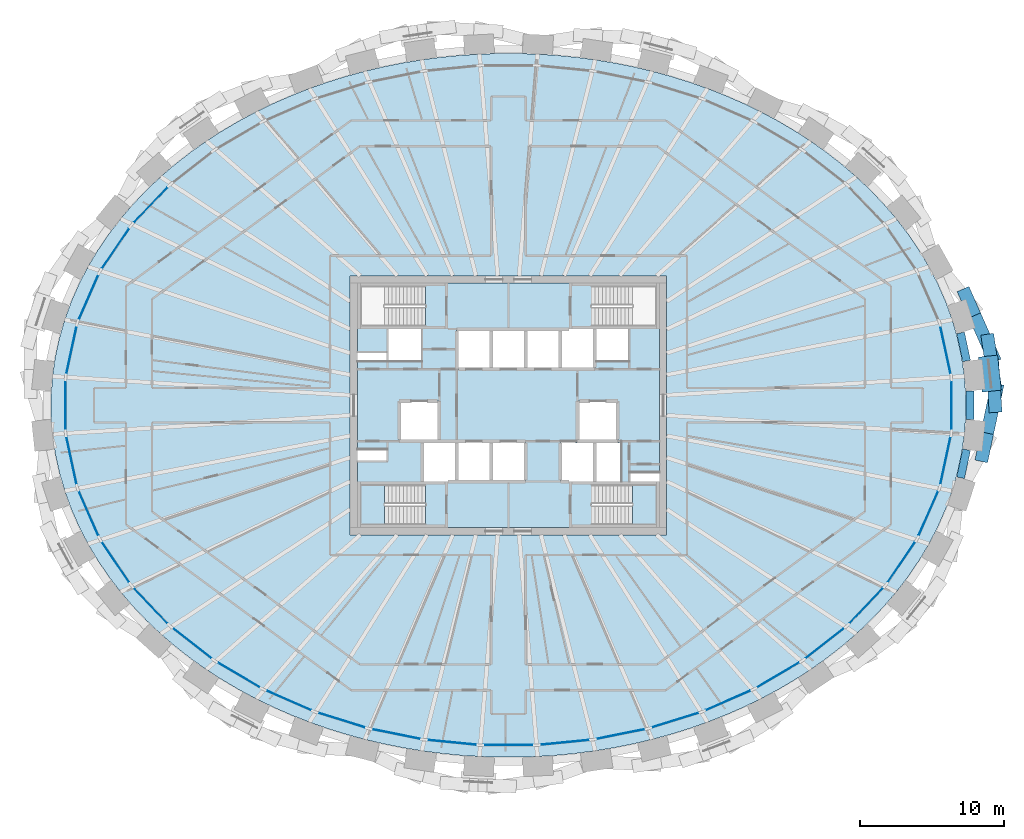
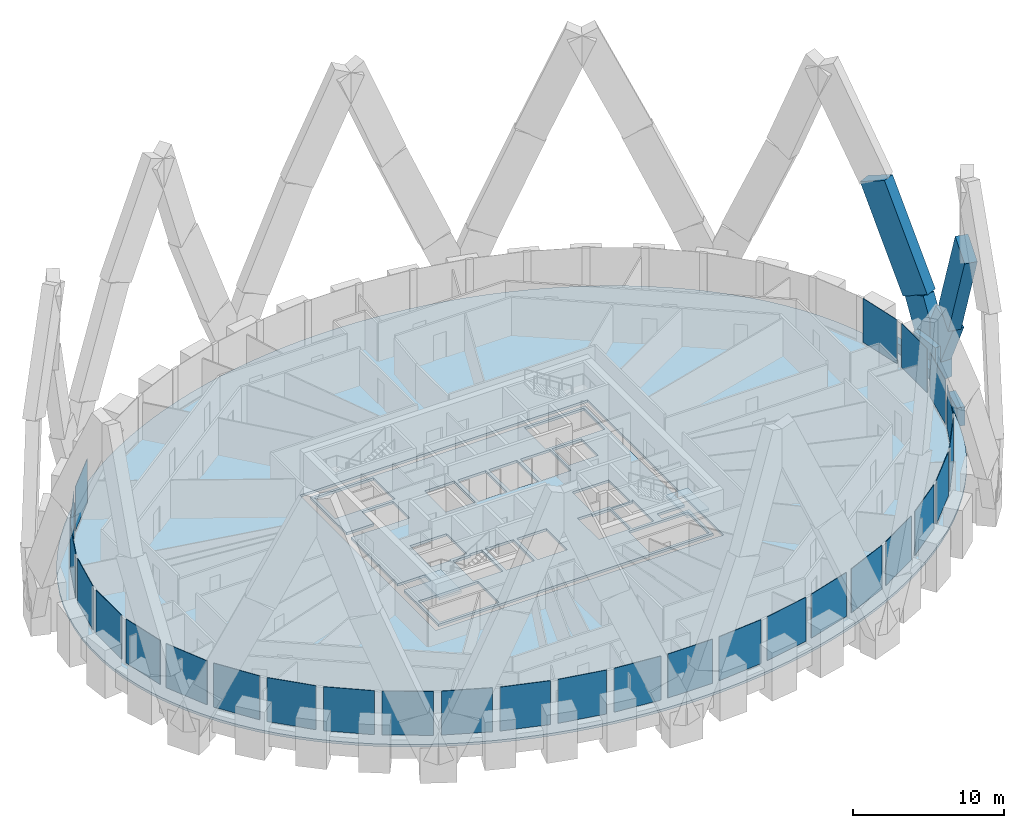
# One storey, part 6 of 15: 28 plates, 5 members, 4 slabs, 3 beams, 3 elements without a shape of their own.
"""IFC4 building model written with IfcOpenShell, lengths in metres."""

from ifc_helpers import new_model, si_unit, direction, frame, origin, origin_2d, place, context, subcontext, project, spatial, polyline, rectangle, outline, extrude, source, transform, mapped, material, layer, layer_set, material_profile, profile_set, type_object, element, aggregate, save


model = new_model("IFC4")

# Units and contexts
model_context = context("Model", 3, precision=1e-05, world=origin(), true_north=direction((0.0, 1.0)))
body_context = subcontext(model_context, "Body", "Model", "MODEL_VIEW")
ifc_project = project(units=[si_unit("LENGTHUNIT", "METRE"), si_unit("AREAUNIT", "SQUARE_METRE"), si_unit("VOLUMEUNIT", "CUBIC_METRE"), si_unit("PLANEANGLEUNIT", "RADIAN"), si_unit("MASSUNIT", "GRAM", prefix="KILO")], contexts=[model_context])

# Site, building, storey
site_placement = place(None, origin())
site = spatial("IfcSite", under=ifc_project, at=site_placement, CompositionType="ELEMENT")
building_placement = place(site_placement, origin())
building = spatial("IfcBuilding", under=site, at=building_placement, Name="Embergate Tower", CompositionType="ELEMENT")
storey_placement = place(building_placement, frame((0.0, 0.0, 277.300048828125)))
storey = spatial("IfcBuildingStorey", under=building, at=storey_placement, Name="L64", CompositionType="ELEMENT", Elevation=277.300048828125)

# Beams
ifc_material_1 = material(Name="Concrete C60", Category="concrete")
ifc_material_profile_1 = material_profile(ifc_material_1, rectangle(XDim=0.550048828125, YDim=1.5, at=origin_2d()), Name="RC 550x1500")
ifc_profile_set_1 = profile_set([ifc_material_profile_1], Name="Concrete C60")
beam_type = type_object("IfcBeamType", Name="Spandrel beam RC 550x1500 C60", PredefinedType="BEAM", material=ifc_profile_set_1)
shared_shape_1 = source(origin(), body_context, "Body", "SweptSolid", [
    extrude(rectangle(XDim=0.550048828125, YDim=1.5, at=origin_2d()), origin(), (0.0, 0.0, 1.0), 1.994384765625),
])
for number, where, z_axis, x_axis, name in (
    (1, (31.842041015625, 3.0849609375, 0.0), (-0.210055720301, 0.977689416108, 0.0), (-0.977689416108, -0.210055720301, 0.0), "SPN-L64-00"),
    (2, (31.423095703125, -5.034912109375, 0.0), (0.210055720301, 0.977689416108, 0.0), (-0.977689416108, 0.210055720301, 0.0), "SPN-L64-42"),
):
    element("IfcBeam", number, at=place(storey_placement, frame(where, z_axis=z_axis, x_axis=x_axis)), inside=storey, type_object=beam_type, Name=name, PredefinedType="BEAM", context=body_context, shape_type="MappedRepresentation", body=[
        mapped(shared_shape_1, transform((0.0, 0.0, 0.0))),
    ])
shared_shape_2 = source(origin(), body_context, "Body", "SweptSolid", [
    extrude(rectangle(XDim=0.550048828125, YDim=1.5, at=origin_2d()), origin(), (0.0, 0.0, 1.0), 1.994140625),
])
beam_placement = place(storey_placement, frame((32.06396484375, -0.9970703125, 0.0), z_axis=(0.0, 1.0, 0.0), x_axis=(-1.0, 0.0, 0.0)))
element("IfcBeam", 3, at=beam_placement, inside=storey, type_object=beam_type, Name="SPN-L64-43", PredefinedType="BEAM", context=body_context, shape_type="MappedRepresentation", body=[
    mapped(shared_shape_2, transform((0.0, 0.0, 0.0))),
])

# Members
ifc_material_2 = material(Name="Concrete C70", Category="concrete")
ifc_material_profile_2 = material_profile(ifc_material_2, rectangle(XDim=1.35009765625, YDim=2.449951171875, at=origin_2d()), Name="RC 1350x2450")
ifc_profile_set_2 = profile_set([ifc_material_profile_2], Name="Concrete C70")
member_type_1 = type_object("IfcMemberType", Name="Lattice node block RC 1350x2450", PredefinedType="POST", material=ifc_profile_set_2)
shared_shape_3 = source(origin(), body_context, "Body", "SweptSolid", [
    extrude(rectangle(XDim=1.35009765625, YDim=2.449951171875, at=origin_2d()), origin(), (0.0, 0.0, 1.0), 2.85009765625),
])
member_1_placement = place(storey_placement, frame((33.4541015625, 2.201904296875, -1.425048828125), z_axis=(0.0, 0.0, 1.0), x_axis=(0.99428589498, 0.106749983816, 0.0)))
element("IfcMember", 4, at=member_1_placement, inside=storey, type_object=member_type_1, Name="NOD-L64-00", PredefinedType="POST", context=body_context, shape_type="MappedRepresentation", body=[
    mapped(shared_shape_3, transform((0.0, 0.0, 0.0))),
])
ifc_material_profile_3 = material_profile(ifc_material_2, rectangle(XDim=0.89990234375, YDim=2.199951171875, at=origin_2d()), Name="RC 900x2200")
ifc_profile_set_3 = profile_set([ifc_material_profile_3], Name="Concrete C70")
member_type_2 = type_object("IfcMemberType", Name="Lattice diagonal terracotta-faced RC 900x2200", PredefinedType="BRACE", material=ifc_profile_set_3)
shared_shape_4 = source(origin(), body_context, "Body", "SweptSolid", [
    extrude(rectangle(XDim=0.89990234375, YDim=2.199951171875, at=origin_2d()), origin(), (0.0, 0.0, 1.0), 4.269775390625),
])
member_2_placement = place(storey_placement, frame((33.677978515625, 2.22705078125, 0.0), z_axis=(-0.060210451101, 0.402603785567, 0.913391971404), x_axis=(-0.989001166604, -0.147907716011, 0.0)))
element("IfcMember", 5, at=member_2_placement, inside=storey, type_object=member_type_2, Name="BRC-L64-00-02-S00", PredefinedType="BRACE", context=body_context, shape_type="MappedRepresentation", body=[
    mapped(shared_shape_4, transform((0.0, 0.0, 0.0))),
])
shared_shape_5 = source(origin(), body_context, "Body", "SweptSolid", [
    extrude(rectangle(XDim=0.89990234375, YDim=2.199951171875, at=origin_2d()), origin(), (0.0, 0.0, 1.0), 8.55615234375),
])
member_3_placement = place(storey_placement, frame((33.4208984375, 3.946044921875, 3.89990234375), z_axis=(-0.166525921982, 0.375739091956, 0.911640966655), x_axis=(-0.914234779992, -0.40518485541, 0.0)))
element("IfcMember", 6, at=member_3_placement, inside=storey, type_object=member_type_2, Name="BRC-L64-00-02-S01", PredefinedType="BRACE", context=body_context, shape_type="MappedRepresentation", body=[
    mapped(shared_shape_5, transform((0.0, 0.0, 0.0))),
])
shared_shape_6 = source(origin(), body_context, "Body", "SweptSolid", [
    extrude(rectangle(XDim=0.89990234375, YDim=2.199951171875, at=origin_2d()), origin(), (0.0, 0.0, 1.0), 4.261962890625),
])
member_4_placement = place(storey_placement, frame((33.677978515625, 2.22705078125, 0.0), z_axis=(0.026522885474, -0.40242607009, 0.915068191261), x_axis=(0.997835152673, 0.065764793692, 0.0)))
element("IfcMember", 7, at=member_4_placement, inside=storey, type_object=member_type_2, Name="BRC-L64-00-42-S00", PredefinedType="BRACE", context=body_context, shape_type="MappedRepresentation", body=[
    mapped(shared_shape_6, transform((0.0, 0.0, 0.0))),
])
shared_shape_7 = source(origin(), body_context, "Body", "SweptSolid", [
    extrude(rectangle(XDim=0.89990234375, YDim=2.199951171875, at=origin_2d()), origin(), (0.0, 0.0, 1.0), 8.551025390625),
])
member_5_placement = place(storey_placement, frame((33.791015625, 0.511962890625, 3.89990234375), z_axis=(-0.084911389442, -0.400887968781, 0.912183584828), x_axis=(0.978296224793, -0.20721123656, 0.0)))
element("IfcMember", 8, at=member_5_placement, inside=storey, type_object=member_type_2, Name="BRC-L64-00-42-S01", PredefinedType="BRACE", context=body_context, shape_type="MappedRepresentation", body=[
    mapped(shared_shape_7, transform((0.0, 0.0, 0.0))),
])

# Slab
ifc_material_3 = material(Name="Concrete C40", Category="concrete")
ifc_layer_1 = layer(ifc_material_3, 0.199951171875)
ifc_layer_set_1 = layer_set([ifc_layer_1], Name="Concrete C40")
slab_type_1 = type_object("IfcSlabType", Name="Composite floor slab C40 200", PredefinedType="FLOOR", material=ifc_layer_set_1)
shared_shape_8 = source(origin(), body_context, "Body", "SweptSolid", [
    extrude(outline(polyline([(0.0, 0.0), (1.34423828125, 0.0), (2.688232421875, 0.044189453125), (4.033203125, 0.132080078125), (5.37109375, 0.26416015625), (6.701171875, 0.439208984375), (8.033203125, 0.6591796875), (9.35205078125, 0.924072265625), (10.654052734375, 1.232177734375), (11.960205078125, 1.588134765625), (13.244140625, 1.988037109375), (14.504150390625, 2.43017578125), (15.76611328125, 2.926025390625), (16.998046875, 3.465087890625), (18.197998046875, 4.046142578125), (19.396240234375, 4.68603515625), (20.55517578125, 5.3671875), (21.673095703125, 6.089111328125), (22.7822265625, 6.876220703125), (23.842041015625, 7.7041015625), (24.85009765625, 8.569091796875), (25.839111328125, 9.505126953125), (26.76708984375, 10.47802734375), (27.631103515625, 11.485107421875), (28.460205078125, 12.565185546875), (29.216064453125, 13.676025390625), (29.896240234375, 14.816162109375), (30.52001953125, 16.023193359375), (31.06005859375, 17.254150390625), (31.51416015625, 18.505126953125), (31.88916015625, 19.80419921875), (32.172119140625, 21.1181640625), (32.361083984375, 22.441162109375), (32.45703125, 23.781982421875), (32.45703125, 25.126220703125), (32.361083984375, 26.467041015625), (32.172119140625, 27.7900390625), (31.88916015625, 29.10400390625), (31.51416015625, 30.403076171875), (31.06005859375, 31.654052734375), (30.52001953125, 32.885009765625), (29.896240234375, 34.092041015625), (29.216064453125, 35.232177734375), (28.460205078125, 36.343017578125), (27.631103515625, 37.423095703125), (26.76708984375, 38.43017578125), (25.839111328125, 39.403076171875), (24.85009765625, 40.339111328125), (23.842041015625, 41.2041015625), (22.7822265625, 42.031982421875), (21.673095703125, 42.819091796875), (20.55517578125, 43.541015625), (19.396240234375, 44.22216796875), (18.197998046875, 44.862060546875), (16.998046875, 45.443115234375), (15.76611328125, 45.982177734375), (14.504150390625, 46.47802734375), (13.244140625, 46.920166015625), (11.960205078125, 47.320068359375), (10.654052734375, 47.676025390625), (9.35205078125, 47.984130859375), (8.033203125, 48.2490234375), (6.701171875, 48.468994140625), (5.37109375, 48.64404296875), (4.033203125, 48.776123046875), (2.688232421875, 48.864013671875), (1.34423828125, 48.908203125), (0.0, 48.908203125), (-1.343994140625, 48.864013671875), (-2.68896484375, 48.776123046875), (-4.02685546875, 48.64404296875), (-5.35693359375, 48.468994140625), (-6.68896484375, 48.2490234375), (-8.0078125, 47.984130859375), (-9.309814453125, 47.676025390625), (-10.615966796875, 47.320068359375), (-11.89990234375, 46.920166015625), (-13.159912109375, 46.47802734375), (-14.421875, 45.982177734375), (-15.65380859375, 45.443115234375), (-16.853759765625, 44.862060546875), (-18.052001953125, 44.22216796875), (-19.2109375, 43.541015625), (-20.328857421875, 42.819091796875), (-21.43798828125, 42.031982421875), (-22.497802734375, 41.2041015625), (-23.505859375, 40.339111328125), (-24.494873046875, 39.403076171875), (-25.4228515625, 38.43017578125), (-26.286865234375, 37.423095703125), (-27.115966796875, 36.343017578125), (-27.871826171875, 35.232177734375), (-28.552001953125, 34.092041015625), (-29.17578125, 32.885009765625), (-29.7158203125, 31.654052734375), (-30.169921875, 30.403076171875), (-30.544921875, 29.10400390625), (-30.827880859375, 27.7900390625), (-31.016845703125, 26.467041015625), (-31.11279296875, 25.126220703125), (-31.11279296875, 23.781982421875), (-31.016845703125, 22.441162109375), (-30.827880859375, 21.1181640625), (-30.544921875, 19.80419921875), (-30.169921875, 18.505126953125), (-29.7158203125, 17.254150390625), (-29.17578125, 16.023193359375), (-28.552001953125, 14.816162109375), (-27.871826171875, 13.676025390625), (-27.115966796875, 12.565185546875), (-26.286865234375, 11.485107421875), (-25.4228515625, 10.47802734375), (-24.494873046875, 9.505126953125), (-23.505859375, 8.569091796875), (-22.497802734375, 7.7041015625), (-21.43798828125, 6.876220703125), (-20.328857421875, 6.089111328125), (-19.2109375, 5.3671875), (-18.052001953125, 4.68603515625), (-16.853759765625, 4.046142578125), (-15.65380859375, 3.465087890625), (-14.421875, 2.926025390625), (-13.159912109375, 2.43017578125), (-11.89990234375, 1.988037109375), (-10.615966796875, 1.588134765625), (-9.309814453125, 1.232177734375), (-8.0078125, 0.924072265625), (-6.68896484375, 0.6591796875), (-5.35693359375, 0.439208984375), (-4.02685546875, 0.26416015625), (-2.68896484375, 0.132080078125), (-1.343994140625, 0.044189453125), (0.0, 0.0)]), holes=[polyline([(-10.327880859375, 15.4541015625), (-10.327880859375, 33.4541015625), (11.672119140625, 33.4541015625), (11.672119140625, 15.4541015625), (-10.327880859375, 15.4541015625)])]), origin(), (0.0, 0.0, 1.0), 0.199951171875),
])
slab_1_placement = place(storey_placement, frame((-0.672119140625, -24.4541015625, -0.199951171875)))
element("IfcSlab", 9, at=slab_1_placement, inside=storey, type_object=slab_type_1, Name="SLB-L64-00", PredefinedType="FLOOR", context=body_context, shape_type="MappedRepresentation", body=[
    mapped(shared_shape_8, transform((0.0, 0.0, 0.0))),
])

# Curtain wall, plates
ifc_material_4 = material(Name="Aluminium and glass", Category="aluminium")
curtain_wall_type = type_object("IfcCurtainWallType", Name="Recessed office glazing", PredefinedType="NOTDEFINED", material=ifc_material_4)
curtain_wall_placement = place(storey_placement, origin())
curtain_wall = element("IfcCurtainWall", 10, at=curtain_wall_placement, inside=storey, type_object=curtain_wall_type, Name="Recessed office glazing ring", ObjectType="RECESSED OFFICE GLAZING", PredefinedType="USERDEFINED")
ifc_material_5 = material(Name="Triple glazing, low-emissivity coating", Category="glass")
ifc_layer_2 = layer(ifc_material_5, 0.035888671875)
ifc_layer_set_2 = layer_set([ifc_layer_2], Name="Triple glazing, low-emissivity coating")
plate_type = type_object("IfcPlateType", Name="Office glazing unit", PredefinedType="CURTAIN_PANEL", material=ifc_layer_set_2)
shared_shape_9 = source(origin(), body_context, "Body", "SweptSolid", [
    extrude(rectangle(XDim=3.359130859375, YDim=0.035888671875, at=origin_2d()), origin(), (0.0, 0.0, 1.0), 3.550048828125),
])
plate_1_placement = place(storey_placement, frame((30.37109375, 3.834228515625, 0.14990234375), z_axis=(0.0, 0.0, 1.0), x_axis=(-0.210401803698, 0.977614996305, 0.0)))
plate_1 = element("IfcPlate", 11, at=plate_1_placement, type_object=plate_type, Name="CW panel 1.1", PredefinedType="CURTAIN_PANEL", context=body_context, shape_type="MappedRepresentation", body=[
    mapped(shared_shape_9, transform((0.0, 0.0, 0.0))),
])
plate_2_placement = place(storey_placement, frame((-30.37109375, 3.834228515625, 0.14990234375), z_axis=(0.0, 0.0, 1.0), x_axis=(-0.210401803698, -0.977614996305, 0.0)))
plate_2 = element("IfcPlate", 12, at=plate_2_placement, type_object=plate_type, Name="CW panel 21.1", PredefinedType="CURTAIN_PANEL", context=body_context, shape_type="MappedRepresentation", body=[
    mapped(shared_shape_9, transform((0.0, 0.0, 0.0))),
])
plate_3_placement = place(storey_placement, frame((-30.37109375, -3.834228515625, 0.14990234375), z_axis=(0.0, 0.0, 1.0), x_axis=(0.210401803698, -0.977614996305, 0.0)))
plate_3 = element("IfcPlate", 13, at=plate_3_placement, type_object=plate_type, Name="CW panel 23.1", PredefinedType="CURTAIN_PANEL", context=body_context, shape_type="MappedRepresentation", body=[
    mapped(shared_shape_9, transform((0.0, 0.0, 0.0))),
])
plate_4_placement = place(storey_placement, frame((30.37109375, -3.834228515625, 0.14990234375), z_axis=(0.0, 0.0, 1.0), x_axis=(0.210401803698, 0.977614996305, 0.0)))
plate_4 = element("IfcPlate", 14, at=plate_4_placement, type_object=plate_type, Name="CW panel 43.1", PredefinedType="CURTAIN_PANEL", context=body_context, shape_type="MappedRepresentation", body=[
    mapped(shared_shape_9, transform((0.0, 0.0, 0.0))),
])
shared_shape_10 = source(origin(), body_context, "Body", "SweptSolid", [
    extrude(rectangle(XDim=3.36572265625, YDim=0.035888671875, at=origin_2d()), origin(), (0.0, 0.0, 1.0), 3.550048828125),
])
plate_5_placement = place(storey_placement, frame((-29.1826171875, 7.509765625, 0.14990234375), z_axis=(0.0, 0.0, 1.0), x_axis=(-0.401658494584, -0.915789524797, 0.0)))
plate_5 = element("IfcPlate", 15, at=plate_5_placement, type_object=plate_type, Name="CW panel 20.1", PredefinedType="CURTAIN_PANEL", context=body_context, shape_type="MappedRepresentation", body=[
    mapped(shared_shape_10, transform((0.0, 0.0, 0.0))),
])
plate_6_placement = place(storey_placement, frame((-29.1826171875, -7.509765625, 0.14990234375), z_axis=(0.0, 0.0, 1.0), x_axis=(0.401658494584, -0.915789524797, 0.0)))
plate_6 = element("IfcPlate", 16, at=plate_6_placement, type_object=plate_type, Name="CW panel 24.1", PredefinedType="CURTAIN_PANEL", context=body_context, shape_type="MappedRepresentation", body=[
    mapped(shared_shape_10, transform((0.0, 0.0, 0.0))),
])
plate_7_placement = place(storey_placement, frame((29.1826171875, -7.509765625, 0.14990234375), z_axis=(0.0, 0.0, 1.0), x_axis=(0.401658494584, 0.915789524797, 0.0)))
plate_7 = element("IfcPlate", 17, at=plate_7_placement, type_object=plate_type, Name="CW panel 42.1", PredefinedType="CURTAIN_PANEL", context=body_context, shape_type="MappedRepresentation", body=[
    mapped(shared_shape_10, transform((0.0, 0.0, 0.0))),
])
shared_shape_11 = source(origin(), body_context, "Body", "SweptSolid", [
    extrude(rectangle(XDim=3.37451171875, YDim=0.035888671875, at=origin_2d()), origin(), (0.0, 0.0, 1.0), 3.550048828125),
])
plate_8_placement = place(storey_placement, frame((-27.30712890625, 10.899169921875, 0.14990234375), z_axis=(0.0, 0.0, 1.0), x_axis=(-0.562347514787, -0.826901005328, 0.0)))
plate_8 = element("IfcPlate", 18, at=plate_8_placement, type_object=plate_type, Name="CW panel 19.1", PredefinedType="CURTAIN_PANEL", context=body_context, shape_type="MappedRepresentation", body=[
    mapped(shared_shape_11, transform((0.0, 0.0, 0.0))),
])
plate_9_placement = place(storey_placement, frame((-27.30712890625, -10.899169921875, 0.14990234375), z_axis=(0.0, 0.0, 1.0), x_axis=(0.562347514787, -0.826901005328, 0.0)))
plate_9 = element("IfcPlate", 19, at=plate_9_placement, type_object=plate_type, Name="CW panel 25.1", PredefinedType="CURTAIN_PANEL", context=body_context, shape_type="MappedRepresentation", body=[
    mapped(shared_shape_11, transform((0.0, 0.0, 0.0))),
])
plate_10_placement = place(storey_placement, frame((27.30712890625, -10.899169921875, 0.14990234375), z_axis=(0.0, 0.0, 1.0), x_axis=(0.562347514787, 0.826901005328, 0.0)))
plate_10 = element("IfcPlate", 20, at=plate_10_placement, type_object=plate_type, Name="CW panel 41.1", PredefinedType="CURTAIN_PANEL", context=body_context, shape_type="MappedRepresentation", body=[
    mapped(shared_shape_11, transform((0.0, 0.0, 0.0))),
])
shared_shape_12 = source(origin(), body_context, "Body", "SweptSolid", [
    extrude(rectangle(XDim=3.3828125, YDim=0.035888671875, at=origin_2d()), origin(), (0.0, 0.0, 1.0), 3.550048828125),
])
plate_11_placement = place(storey_placement, frame((-24.865478515625, 13.921630859375, 0.14990234375), z_axis=(0.0, 0.0, 1.0), x_axis=(-0.6901388367, -0.723676990154, 0.0)))
plate_11 = element("IfcPlate", 21, at=plate_11_placement, type_object=plate_type, Name="CW panel 18.1", PredefinedType="CURTAIN_PANEL", context=body_context, shape_type="MappedRepresentation", body=[
    mapped(shared_shape_12, transform((0.0, 0.0, 0.0))),
])
plate_12_placement = place(storey_placement, frame((-24.865478515625, -13.921630859375, 0.14990234375), z_axis=(0.0, 0.0, 1.0), x_axis=(0.6901388367, -0.723676990154, 0.0)))
plate_12 = element("IfcPlate", 22, at=plate_12_placement, type_object=plate_type, Name="CW panel 26.1", PredefinedType="CURTAIN_PANEL", context=body_context, shape_type="MappedRepresentation", body=[
    mapped(shared_shape_12, transform((0.0, 0.0, 0.0))),
])
plate_13_placement = place(storey_placement, frame((24.865478515625, -13.921630859375, 0.14990234375), z_axis=(0.0, 0.0, 1.0), x_axis=(0.6901388367, 0.723676990154, 0.0)))
plate_13 = element("IfcPlate", 23, at=plate_13_placement, type_object=plate_type, Name="CW panel 40.1", PredefinedType="CURTAIN_PANEL", context=body_context, shape_type="MappedRepresentation", body=[
    mapped(shared_shape_12, transform((0.0, 0.0, 0.0))),
])
shared_shape_13 = source(origin(), body_context, "Body", "SweptSolid", [
    extrude(rectangle(XDim=3.390380859375, YDim=0.035888671875, at=origin_2d()), origin(), (0.0, 0.0, 1.0), 3.550048828125),
])
plate_14_placement = place(storey_placement, frame((-21.977294921875, -16.536865234375, 0.14990234375), z_axis=(0.0, 0.0, 1.0), x_axis=(0.788323340765, -0.615261172515, 0.0)))
plate_14 = element("IfcPlate", 24, at=plate_14_placement, type_object=plate_type, Name="CW panel 27.1", PredefinedType="CURTAIN_PANEL", context=body_context, shape_type="MappedRepresentation", body=[
    mapped(shared_shape_13, transform((0.0, 0.0, 0.0))),
])
plate_15_placement = place(storey_placement, frame((21.977294921875, -16.536865234375, 0.14990234375), z_axis=(0.0, 0.0, 1.0), x_axis=(0.788323340765, 0.615261172515, 0.0)))
plate_15 = element("IfcPlate", 25, at=plate_15_placement, type_object=plate_type, Name="CW panel 39.1", PredefinedType="CURTAIN_PANEL", context=body_context, shape_type="MappedRepresentation", body=[
    mapped(shared_shape_13, transform((0.0, 0.0, 0.0))),
])
shared_shape_14 = source(origin(), body_context, "Body", "SweptSolid", [
    extrude(rectangle(XDim=3.39599609375, YDim=0.035888671875, at=origin_2d()), origin(), (0.0, 0.0, 1.0), 3.550048828125),
])
plate_16_placement = place(storey_placement, frame((-18.748046875, -18.732177734375, 0.14990234375), z_axis=(0.0, 0.0, 1.0), x_axis=(0.862054936934, -0.506814843614, 0.0)))
plate_16 = element("IfcPlate", 26, at=plate_16_placement, type_object=plate_type, Name="CW panel 28.1", PredefinedType="CURTAIN_PANEL", context=body_context, shape_type="MappedRepresentation", body=[
    mapped(shared_shape_14, transform((0.0, 0.0, 0.0))),
])
plate_17_placement = place(storey_placement, frame((18.748046875, -18.732177734375, 0.14990234375), z_axis=(0.0, 0.0, 1.0), x_axis=(0.862054936934, 0.506814843614, 0.0)))
plate_17 = element("IfcPlate", 27, at=plate_17_placement, type_object=plate_type, Name="CW panel 38.1", PredefinedType="CURTAIN_PANEL", context=body_context, shape_type="MappedRepresentation", body=[
    mapped(shared_shape_14, transform((0.0, 0.0, 0.0))),
])
shared_shape_15 = source(origin(), body_context, "Body", "SweptSolid", [
    extrude(rectangle(XDim=3.400634765625, YDim=0.035888671875, at=origin_2d()), origin(), (0.0, 0.0, 1.0), 3.550048828125),
])
plate_18_placement = place(storey_placement, frame((-15.263916015625, -20.509765625, 0.14990234375), z_axis=(0.0, 0.0, 1.0), x_axis=(0.916236910986, -0.400636896638, 0.0)))
plate_18 = element("IfcPlate", 28, at=plate_18_placement, type_object=plate_type, Name="CW panel 29.1", PredefinedType="CURTAIN_PANEL", context=body_context, shape_type="MappedRepresentation", body=[
    mapped(shared_shape_15, transform((0.0, 0.0, 0.0))),
])
plate_19_placement = place(storey_placement, frame((15.263916015625, -20.509765625, 0.14990234375), z_axis=(0.0, 0.0, 1.0), x_axis=(0.916236910986, 0.400636896638, 0.0)))
plate_19 = element("IfcPlate", 29, at=plate_19_placement, type_object=plate_type, Name="CW panel 37.1", PredefinedType="CURTAIN_PANEL", context=body_context, shape_type="MappedRepresentation", body=[
    mapped(shared_shape_15, transform((0.0, 0.0, 0.0))),
])
shared_shape_16 = source(origin(), body_context, "Body", "SweptSolid", [
    extrude(rectangle(XDim=3.40380859375, YDim=0.035888671875, at=origin_2d()), origin(), (0.0, 0.0, 1.0), 3.550048828125),
])
plate_20_placement = place(storey_placement, frame((-11.5947265625, -21.87841796875, 0.14990234375), z_axis=(0.0, 0.0, 1.0), x_axis=(0.954772736126, -0.297336547283, 0.0)))
plate_20 = element("IfcPlate", 30, at=plate_20_placement, type_object=plate_type, Name="CW panel 30.1", PredefinedType="CURTAIN_PANEL", context=body_context, shape_type="MappedRepresentation", body=[
    mapped(shared_shape_16, transform((0.0, 0.0, 0.0))),
])
plate_21_placement = place(storey_placement, frame((11.5947265625, -21.87841796875, 0.14990234375), z_axis=(0.0, 0.0, 1.0), x_axis=(0.954772736126, 0.297336547283, 0.0)))
plate_21 = element("IfcPlate", 31, at=plate_21_placement, type_object=plate_type, Name="CW panel 36.1", PredefinedType="CURTAIN_PANEL", context=body_context, shape_type="MappedRepresentation", body=[
    mapped(shared_shape_16, transform((0.0, 0.0, 0.0))),
])
shared_shape_17 = source(origin(), body_context, "Body", "SweptSolid", [
    extrude(rectangle(XDim=3.406005859375, YDim=0.035888671875, at=origin_2d()), origin(), (0.0, 0.0, 1.0), 3.550048828125),
])
plate_22_placement = place(storey_placement, frame((-7.796875, -22.847900390625, 0.14990234375), z_axis=(0.0, 0.0, 1.0), x_axis=(0.980475907409, -0.196639250889, 0.0)))
plate_22 = element("IfcPlate", 32, at=plate_22_placement, type_object=plate_type, Name="CW panel 31.1", PredefinedType="CURTAIN_PANEL", context=body_context, shape_type="MappedRepresentation", body=[
    mapped(shared_shape_17, transform((0.0, 0.0, 0.0))),
])
plate_23_placement = place(storey_placement, frame((7.796875, -22.847900390625, 0.14990234375), z_axis=(0.0, 0.0, 1.0), x_axis=(0.980475907409, 0.196639250889, 0.0)))
plate_23 = element("IfcPlate", 33, at=plate_23_placement, type_object=plate_type, Name="CW panel 35.1", PredefinedType="CURTAIN_PANEL", context=body_context, shape_type="MappedRepresentation", body=[
    mapped(shared_shape_17, transform((0.0, 0.0, 0.0))),
])
shared_shape_18 = source(origin(), body_context, "Body", "SweptSolid", [
    extrude(rectangle(XDim=3.4072265625, YDim=0.035888671875, at=origin_2d()), origin(), (0.0, 0.0, 1.0), 3.550048828125),
])
plate_24_placement = place(storey_placement, frame((-3.91796875, -23.426025390625, 0.14990234375), z_axis=(0.0, 0.0, 1.0), x_axis=(0.995203184788, -0.097829550688, 0.0)))
plate_24 = element("IfcPlate", 34, at=plate_24_placement, type_object=plate_type, Name="CW panel 32.1", PredefinedType="CURTAIN_PANEL", context=body_context, shape_type="MappedRepresentation", body=[
    mapped(shared_shape_18, transform((0.0, 0.0, 0.0))),
])
plate_25_placement = place(storey_placement, frame((3.91796875, -23.426025390625, 0.14990234375), z_axis=(0.0, 0.0, 1.0), x_axis=(0.995203184788, 0.097829550688, 0.0)))
plate_25 = element("IfcPlate", 35, at=plate_25_placement, type_object=plate_type, Name="CW panel 34.1", PredefinedType="CURTAIN_PANEL", context=body_context, shape_type="MappedRepresentation", body=[
    mapped(shared_shape_18, transform((0.0, 0.0, 0.0))),
])
shared_shape_19 = source(origin(), body_context, "Body", "SweptSolid", [
    extrude(rectangle(XDim=3.40771484375, YDim=0.035888671875, at=origin_2d()), origin(), (0.0, 0.0, 1.0), 3.550048828125),
])
plate_26_placement = place(storey_placement, frame((0.0, -23.6181640625, 0.14990234375), z_axis=(0.0, 0.0, 1.0), x_axis=(1.0, 0.0, 0.0)))
plate_26 = element("IfcPlate", 36, at=plate_26_placement, type_object=plate_type, Name="CW panel 33.1", PredefinedType="CURTAIN_PANEL", context=body_context, shape_type="MappedRepresentation", body=[
    mapped(shared_shape_19, transform((0.0, 0.0, 0.0))),
])
shared_shape_20 = source(origin(), body_context, "Body", "SweptSolid", [
    extrude(rectangle(XDim=3.3564453125, YDim=0.035888671875, at=origin_2d()), origin(), (0.0, 0.0, 1.0), 3.550048828125),
])
plate_27_placement = place(storey_placement, frame((-30.779052734375, 0.0, 0.14990234375), z_axis=(0.0, 0.0, 1.0), x_axis=(0.0, -1.0, 0.0)))
plate_27 = element("IfcPlate", 37, at=plate_27_placement, type_object=plate_type, Name="CW panel 22.1", PredefinedType="CURTAIN_PANEL", context=body_context, shape_type="MappedRepresentation", body=[
    mapped(shared_shape_20, transform((0.0, 0.0, 0.0))),
])
plate_28_placement = place(storey_placement, frame((30.779052734375, 0.0, 0.14990234375), z_axis=(0.0, 0.0, 1.0), x_axis=(0.0, 1.0, 0.0)))
plate_28 = element("IfcPlate", 38, at=plate_28_placement, type_object=plate_type, Name="CW panel 44.1", PredefinedType="CURTAIN_PANEL", context=body_context, shape_type="MappedRepresentation", body=[
    mapped(shared_shape_20, transform((0.0, 0.0, 0.0))),
])
aggregate(curtain_wall, [plate_1, plate_11, plate_8, plate_5, plate_2, plate_27, plate_3, plate_6, plate_9, plate_12, plate_14, plate_16, plate_18, plate_20, plate_22, plate_24, plate_26, plate_25, plate_23, plate_21, plate_19, plate_17, plate_15, plate_13, plate_10, plate_7, plate_4, plate_28])

# Stair, slab
ifc_material_6 = material(Name="Exit stair")
stair_type = type_object("IfcStairType", Name="Exit stair", PredefinedType="HALF_TURN_STAIR", material=ifc_material_6)
stair_1_placement = place(storey_placement, origin())
stair_1 = element("IfcStair", 39, at=stair_1_placement, inside=storey, type_object=stair_type, Name="L64 Exit stair 3", PredefinedType="HALF_TURN_STAIR")
ifc_layer_3 = layer(ifc_material_3, 0.199951171875)
ifc_layer_set_3 = layer_set([ifc_layer_3], Name="Concrete C40")
slab_type_2 = type_object("IfcSlabType", Name="Stair landing reinforced concrete", PredefinedType="LANDING", material=ifc_layer_set_3)
shared_shape_21 = source(origin(), body_context, "Body", "SweptSolid", [
    extrude(outline(polyline([(0.0, 0.0), (1.68994140625, 0.0), (1.68994140625, 2.800048828125), (0.0, 2.800048828125), (0.0, 0.0)])), origin(), (0.0, 0.0, 1.0), 0.199951171875),
])
slab_2_placement = place(storey_placement, frame((-10.300048828125, -8.300048828125, 1.75)))
slab_2 = element("IfcSlab", 40, at=slab_2_placement, type_object=slab_type_2, Name="ST3 landing 1", PredefinedType="LANDING", context=body_context, shape_type="MappedRepresentation", body=[
    mapped(shared_shape_21, transform((0.0, 0.0, 0.0))),
])
aggregate(stair_1, [slab_2])

stair_2_placement = place(storey_placement, origin())
stair_2 = element("IfcStair", 41, at=stair_2_placement, inside=storey, type_object=stair_type, Name="L64 Exit stair 4", PredefinedType="HALF_TURN_STAIR")
slab_3_placement = place(storey_placement, frame((8.610107421875, -8.300048828125, 1.75)))
slab_3 = element("IfcSlab", 42, at=slab_3_placement, type_object=slab_type_2, Name="ST4 landing 1", PredefinedType="LANDING", context=body_context, shape_type="MappedRepresentation", body=[
    mapped(shared_shape_21, transform((0.0, 0.0, 0.0))),
])
aggregate(stair_2, [slab_3])

# Slab
ifc_layer_4 = layer(ifc_material_3, 0.199951171875)
ifc_layer_set_4 = layer_set([ifc_layer_4], Name="Concrete C40")
slab_type_3 = type_object("IfcSlabType", Name="Core floor slab 200 reinforced concrete", PredefinedType="FLOOR", material=ifc_layer_set_4)
shared_shape_22 = source(origin(), body_context, "Body", "SweptSolid", [
    extrude(outline(polyline([(0.0, 0.0), (21.0, 0.0), (21.0, 3.199951171875), (18.89990234375, 3.199951171875), (18.89990234375, 3.803955078125), (21.0, 3.803955078125), (21.0, 17.0), (0.0, 17.0), (0.0, 12.2041015625), (2.10009765625, 12.2041015625), (2.10009765625, 13.800048828125), (4.5, 13.800048828125), (4.5, 11.60009765625), (2.10009765625, 11.60009765625), (0.0, 11.60009765625), (0.0, 5.39990234375), (2.10009765625, 5.39990234375), (2.10009765625, 4.60009765625), (0.0, 4.60009765625), (0.0, 0.0)]), holes=[polyline([(0.199951171875, 0.199951171875), (0.199951171875, 3.0), (4.739990234375, 3.0), (4.739990234375, 0.199951171875), (0.199951171875, 0.199951171875)]), polyline([(16.260009765625, 0.199951171875), (16.260009765625, 3.0), (20.800048828125, 3.0), (20.800048828125, 0.199951171875), (16.260009765625, 0.199951171875)]), polyline([(4.5, 3.199951171875), (4.5, 5.875), (5.824951171875, 5.875), (5.824951171875, 6.0), (6.77490234375, 6.0), (6.77490234375, 3.199951171875), (4.5, 3.199951171875)]), polyline([(7.02490234375, 3.199951171875), (7.02490234375, 6.0), (9.175048828125, 6.0), (9.175048828125, 3.199951171875), (7.02490234375, 3.199951171875)]), polyline([(9.425048828125, 3.199951171875), (9.425048828125, 6.0), (11.699951171875, 6.0), (11.699951171875, 3.199951171875), (9.425048828125, 3.199951171875)]), polyline([(14.10009765625, 3.199951171875), (14.10009765625, 6.0), (15.175048828125, 6.0), (15.175048828125, 5.875), (16.5, 5.875), (16.5, 3.199951171875), (14.10009765625, 3.199951171875)]), polyline([(16.625, 3.199951171875), (16.625, 5.875), (18.22509765625, 5.875), (18.22509765625, 6.0), (18.300048828125, 6.0), (18.300048828125, 3.199951171875), (16.625, 3.199951171875)]), polyline([(2.89990234375, 6.0), (2.89990234375, 8.800048828125), (5.699951171875, 8.800048828125), (5.699951171875, 6.125), (4.375, 6.125), (4.375, 6.0), (2.89990234375, 6.0)]), polyline([(16.625, 6.0), (16.625, 6.125), (15.300048828125, 6.125), (15.300048828125, 8.800048828125), (18.10009765625, 8.800048828125), (18.10009765625, 6.0), (16.625, 6.0)]), polyline([(6.89990234375, 11.0), (6.89990234375, 13.800048828125), (9.175048828125, 13.800048828125), (9.175048828125, 11.0), (6.89990234375, 11.0)]), polyline([(9.425048828125, 11.0), (9.425048828125, 13.800048828125), (11.574951171875, 13.800048828125), (11.574951171875, 11.0), (9.425048828125, 11.0)]), polyline([(11.824951171875, 11.0), (11.824951171875, 13.800048828125), (13.97509765625, 13.800048828125), (13.97509765625, 11.0), (11.824951171875, 11.0)]), polyline([(14.22509765625, 11.0), (14.22509765625, 13.800048828125), (16.5, 13.800048828125), (16.5, 11.0), (14.22509765625, 11.0)]), polyline([(16.625, 11.60009765625), (16.625, 13.800048828125), (18.89990234375, 13.800048828125), (18.89990234375, 11.60009765625), (16.625, 11.60009765625)]), polyline([(0.199951171875, 14.0), (0.199951171875, 16.800048828125), (4.739990234375, 16.800048828125), (4.739990234375, 14.0), (0.199951171875, 14.0)]), polyline([(16.260009765625, 14.0), (16.260009765625, 16.800048828125), (20.800048828125, 16.800048828125), (20.800048828125, 14.0), (16.260009765625, 14.0)])]), origin(), (0.0, 0.0, 1.0), 0.199951171875),
])
slab_4_placement = place(storey_placement, frame((-10.5, -8.5, -0.199951171875)))
element("IfcSlab", 43, at=slab_4_placement, inside=storey, type_object=slab_type_3, Name="Core floor slab", PredefinedType="FLOOR", context=body_context, shape_type="MappedRepresentation", body=[
    mapped(shared_shape_22, transform((0.0, 0.0, 0.0))),
])

save(model, "model.ifc")
